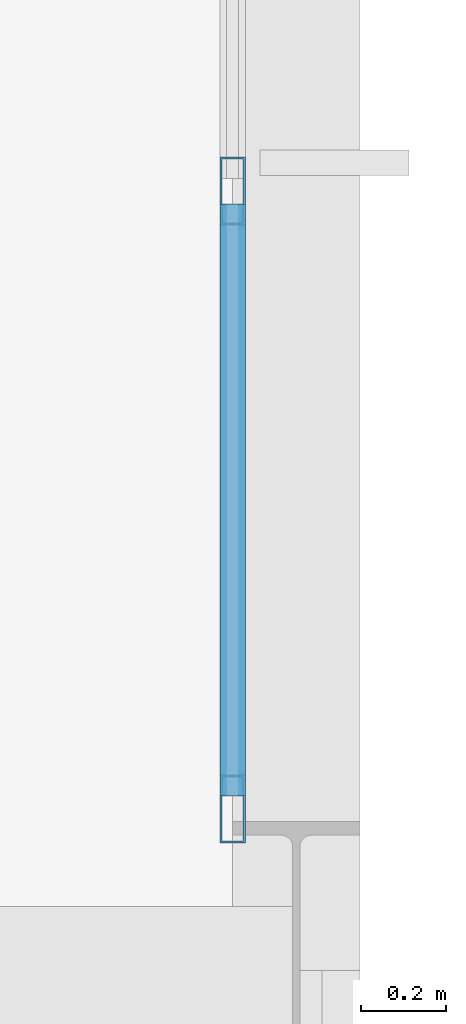
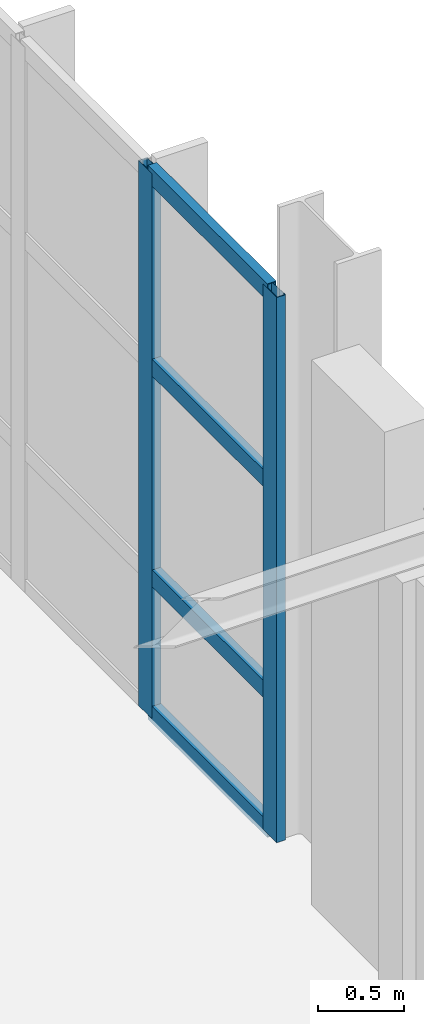
# One storey, part 68 of 113: 6 members, 1 element without a shape of its own.
"""IFC4 building model written with IfcOpenShell, lengths in metres."""

from ifc_helpers import new_model, si_unit, direction, frame, origin, origin_2d, place, context, subcontext, project, spatial, hollow_rectangle, extrude, material, material_profile, profile_set, type_object, element, aggregate, save


model = new_model("IFC4")

# Units and contexts
model_context = context("Model", 3, precision=1e-05, world=origin(), true_north=direction((0.0, 1.0)))
body_context = subcontext(model_context, "Body", "Model", "MODEL_VIEW")
ifc_project = project(units=[si_unit("LENGTHUNIT", "METRE"), si_unit("AREAUNIT", "SQUARE_METRE"), si_unit("VOLUMEUNIT", "CUBIC_METRE"), si_unit("PLANEANGLEUNIT", "RADIAN"), si_unit("MASSUNIT", "GRAM", prefix="KILO")], contexts=[model_context])

# Site, building, storey
site_placement = place(None, origin())
site = spatial("IfcSite", under=ifc_project, at=site_placement, CompositionType="ELEMENT")
building_placement = place(site_placement, origin())
building = spatial("IfcBuilding", under=site, at=building_placement, Name="Veltarok Museum of Natural Sciences", CompositionType="ELEMENT")
storey_placement = place(building_placement, frame((0.0, 0.0, 8.39990234375)))
storey = spatial("IfcBuildingStorey", under=building, at=storey_placement, Name="L01", CompositionType="ELEMENT", Elevation=8.39990234375)

# Curtain wall, members
ifc_material_1 = material(Name="Low-iron triple insulated glass", Category="glass")
curtain_wall_type = type_object("IfcCurtainWallType", Name="Curtain Wall System CW-V5E-L01-B-890x388 (V5 East Lab L01 B-C 890x388cm)", PredefinedType="NOTDEFINED", material=ifc_material_1)
curtain_wall_placement = place(storey_placement, origin())
curtain_wall = element("IfcCurtainWall", 1, at=curtain_wall_placement, inside=storey, type_object=curtain_wall_type, Name="Curtain Wall CW-V5E-L01-B-890x388 CW-0103", PredefinedType="NOTDEFINED")
ifc_material_2 = material(Name="Thermally broken anodised aluminium", Category="aluminium")
ifc_material_profile_1 = material_profile(ifc_material_2, hollow_rectangle(XDim=0.06005859375, YDim=0.1201171875, WallThickness=0.0048828125, at=origin_2d()), Name="CW TRANSOM 60x120x5")
ifc_profile_set_1 = profile_set([ifc_material_profile_1], Name="Thermally broken anodised aluminium")
member_type_1 = type_object("IfcMemberType", Name="Curtain Wall Horizontal Transom 60x120x5", PredefinedType="USERDEFINED", material=ifc_profile_set_1)
member_1_placement = place(storey_placement, frame((164.64990234375, 10.010009765625, 0.030029296875), z_axis=(0.0, 1.0, 0.0), x_axis=(-1.0, 0.0, 0.0)))
member_1 = element("IfcMember", 2, at=member_1_placement, type_object=member_type_1, Name="CW-V5E-L01-B-890x388 transom 1.1", ObjectType="TRANSOM", PredefinedType="USERDEFINED", context=body_context, shape_type="SweptSolid", body=[
    extrude(hollow_rectangle(XDim=0.06005859375, YDim=0.1201171875, WallThickness=0.0048828125, at=origin_2d()), origin(), (0.0, 0.0, 1.0), 1.393310546875),
])
member_2_placement = place(storey_placement, frame((164.64990234375, 10.010009765625, 1.0), z_axis=(0.0, 1.0, 0.0), x_axis=(-1.0, 0.0, 0.0)))
member_2 = element("IfcMember", 3, at=member_2_placement, type_object=member_type_1, Name="CW-V5E-L01-B-890x388 transom 1.2", ObjectType="TRANSOM", PredefinedType="USERDEFINED", context=body_context, shape_type="SweptSolid", body=[
    extrude(hollow_rectangle(XDim=0.06005859375, YDim=0.1201171875, WallThickness=0.0048828125, at=origin_2d()), origin(), (0.0, 0.0, 1.0), 1.393310546875),
])
member_3_placement = place(storey_placement, frame((164.64990234375, 10.010009765625, 2.5), z_axis=(0.0, 1.0, 0.0), x_axis=(-1.0, 0.0, 0.0)))
member_3 = element("IfcMember", 4, at=member_3_placement, type_object=member_type_1, Name="CW-V5E-L01-B-890x388 transom 1.3", ObjectType="TRANSOM", PredefinedType="USERDEFINED", context=body_context, shape_type="SweptSolid", body=[
    extrude(hollow_rectangle(XDim=0.06005859375, YDim=0.1201171875, WallThickness=0.0048828125, at=origin_2d()), origin(), (0.0, 0.0, 1.0), 1.393310546875),
])
member_4_placement = place(storey_placement, frame((164.64990234375, 10.010009765625, 3.85009765625), z_axis=(0.0, 1.0, 0.0), x_axis=(-1.0, 0.0, 0.0)))
member_4 = element("IfcMember", 5, at=member_4_placement, type_object=member_type_1, Name="CW-V5E-L01-B-890x388 transom 1.4", ObjectType="TRANSOM", PredefinedType="USERDEFINED", context=body_context, shape_type="SweptSolid", body=[
    extrude(hollow_rectangle(XDim=0.06005859375, YDim=0.1201171875, WallThickness=0.0048828125, at=origin_2d()), origin(), (0.0, 0.0, 1.0), 1.393310546875),
])
ifc_material_profile_2 = material_profile(ifc_material_2, hollow_rectangle(XDim=0.06005859375, YDim=0.159912109375, WallThickness=0.0048828125, at=origin_2d()), Name="CW MULLION 60x160x5")
ifc_profile_set_2 = profile_set([ifc_material_profile_2], Name="Thermally broken anodised aluminium")
member_type_2 = type_object("IfcMemberType", Name="Curtain Wall Vertical Mullion 60x160x5", PredefinedType="MULLION", material=ifc_profile_set_2)
member_5_placement = place(storey_placement, frame((164.64990234375, 9.97998046875, 0.0), z_axis=(0.0, 0.0, 1.0), x_axis=(-1.0, 0.0, 0.0)))
member_5 = element("IfcMember", 6, at=member_5_placement, type_object=member_type_2, Name="CW-V5E-L01-B-890x388 mullion 1", PredefinedType="MULLION", context=body_context, shape_type="SweptSolid", body=[
    extrude(hollow_rectangle(XDim=0.06005859375, YDim=0.159912109375, WallThickness=0.0048828125, at=origin_2d()), origin(), (0.0, 0.0, 1.0), 3.880126953125),
])
member_6_placement = place(storey_placement, frame((164.64990234375, 11.433349609375, 0.0), z_axis=(0.0, 0.0, 1.0), x_axis=(-1.0, 0.0, 0.0)))
member_6 = element("IfcMember", 7, at=member_6_placement, type_object=member_type_2, Name="CW-V5E-L01-B-890x388 mullion 2", PredefinedType="MULLION", context=body_context, shape_type="SweptSolid", body=[
    extrude(hollow_rectangle(XDim=0.06005859375, YDim=0.159912109375, WallThickness=0.0048828125, at=origin_2d()), origin(), (0.0, 0.0, 1.0), 3.880126953125),
])
aggregate(curtain_wall, [member_5, member_6, member_1, member_2, member_3, member_4])

save(model, "model.ifc")
